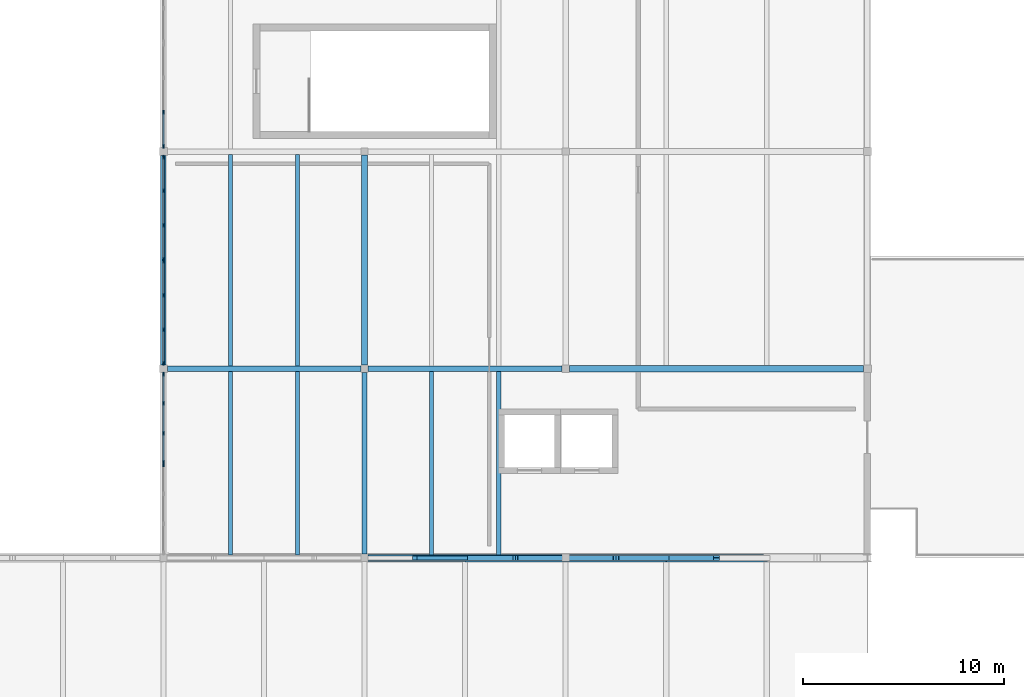
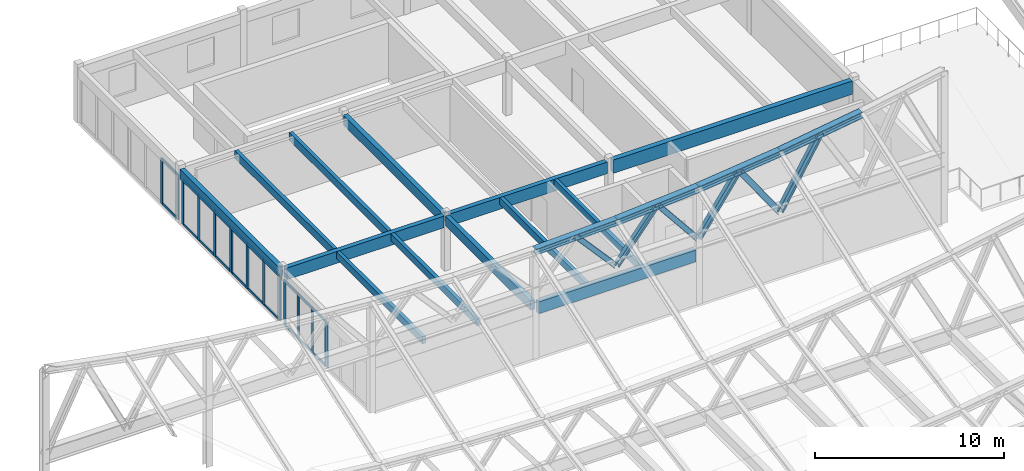
# One storey, part 14 of 40: 45 members, 13 beams, 6 elements without a shape of their own.
"""IFC4 building model written with IfcOpenShell, lengths in metres."""

from ifc_helpers import new_model, si_unit, direction, frame, origin, origin_2d, place, context, subcontext, project, spatial, rectangle, i_section, extrude, material, material_profile, profile_set, type_object, element, aggregate, save


model = new_model("IFC4")

# Units and contexts
model_context = context("Model", 3, precision=1e-05, world=origin(), true_north=direction((0.0, 1.0)))
body_context = subcontext(model_context, "Body", "Model", "MODEL_VIEW")
ifc_project = project(units=[si_unit("LENGTHUNIT", "METRE"), si_unit("AREAUNIT", "SQUARE_METRE"), si_unit("VOLUMEUNIT", "CUBIC_METRE"), si_unit("PLANEANGLEUNIT", "RADIAN"), si_unit("MASSUNIT", "GRAM", prefix="KILO")], contexts=[model_context])

# Site, building, storey
site_placement = place(None, origin())
site = spatial("IfcSite", under=ifc_project, at=site_placement, CompositionType="ELEMENT")
building_placement = place(site_placement, origin())
building = spatial("IfcBuilding", under=site, at=building_placement, Name="Veldera Park Congress Hotel", CompositionType="ELEMENT")
storey_placement = place(building_placement, frame((0.0, 0.0, 16.199951171875)))
storey = spatial("IfcBuildingStorey", under=building, at=storey_placement, Name="L03", CompositionType="ELEMENT", Elevation=16.199951171875)

# Beams
ifc_material_1 = material(Name="Glulam GL28h (NDS 24F-V4)", Category="wood")
ifc_material_profile_1 = material_profile(ifc_material_1, rectangle(XDim=0.264892578125, YDim=0.6201171875, at=origin_2d()), Name="GL28h 265x620")
ifc_profile_set_1 = profile_set([ifc_material_profile_1], Name="Glulam GL28h (NDS 24F-V4)")
beam_type_1 = type_object("IfcBeamType", Name="BM-GL620", PredefinedType="BEAM", material=ifc_profile_set_1)
beam_1_placement = place(storey_placement, frame((-37.39990234375, 27.179931640625, 3.25), z_axis=(0.0, 1.0, 0.0), x_axis=(-1.0, 0.0, 0.0)))
element("IfcBeam", 1, at=beam_1_placement, inside=storey, type_object=beam_type_1, Name="L03 Girder BM-GL620 1142", PredefinedType="BEAM", context=body_context, shape_type="SweptSolid", body=[
    extrude(rectangle(XDim=0.264892578125, YDim=0.6201171875, at=origin_2d()), origin(), (0.0, 0.0, 1.0), 9.0400390625),
])
ifc_material_profile_2 = material_profile(ifc_material_1, rectangle(XDim=0.280029296875, YDim=0.639892578125, at=origin_2d()), Name="GL28h 280x640")
ifc_profile_set_2 = profile_set([ifc_material_profile_2], Name="Glulam GL28h (NDS 24F-V4)")
beam_type_2 = type_object("IfcBeamType", Name="BM-GL640", PredefinedType="BEAM", material=ifc_profile_set_2)
beam_2_placement = place(storey_placement, frame((-47.39990234375, 36.594970703125, 3.239990234375), z_axis=(0.0, 1.0, 0.0), x_axis=(-1.0, 0.0, 0.0)))
element("IfcBeam", 2, at=beam_2_placement, inside=storey, type_object=beam_type_2, Name="L03 Girder BM-GL640 1140", PredefinedType="BEAM", context=body_context, shape_type="SweptSolid", body=[
    extrude(rectangle(XDim=0.280029296875, YDim=0.639892578125, at=origin_2d()), origin(), (0.0, 0.0, 1.0), 10.409912109375),
])
beam_3_placement = place(storey_placement, frame((-37.39990234375, 36.580078125, 3.239990234375), z_axis=(0.0, 1.0, 0.0), x_axis=(-1.0, 0.0, 0.0)))
element("IfcBeam", 3, at=beam_3_placement, inside=storey, type_object=beam_type_2, Name="L03 Girder BM-GL640 1143", PredefinedType="BEAM", context=body_context, shape_type="SweptSolid", body=[
    extrude(rectangle(XDim=0.280029296875, YDim=0.639892578125, at=origin_2d()), origin(), (0.0, 0.0, 1.0), 10.43994140625),
])
ifc_material_profile_3 = material_profile(ifc_material_1, rectangle(XDim=0.280029296875, YDim=0.760009765625, at=origin_2d()), Name="GL28h 280x760")
ifc_profile_set_3 = profile_set([ifc_material_profile_3], Name="Glulam GL28h (NDS 24F-V4)")
beam_type_3 = type_object("IfcBeamType", Name="BM-GL760", PredefinedType="BEAM", material=ifc_profile_set_3)
beam_4_placement = place(storey_placement, frame((-37.219970703125, 27.0, 3.179931640625), z_axis=(1.0, 0.0, 0.0), x_axis=(0.0, 1.0, 0.0)))
element("IfcBeam", 4, at=beam_4_placement, inside=storey, type_object=beam_type_3, Name="L03 Girder BM-GL760 1107", PredefinedType="BEAM", context=body_context, shape_type="SweptSolid", body=[
    extrude(rectangle(XDim=0.280029296875, YDim=0.760009765625, at=origin_2d()), origin(), (0.0, 0.0, 1.0), 9.639892578125),
])
beam_5_placement = place(storey_placement, frame((-47.205078125, 36.39990234375, 3.179931640625), z_axis=(1.0, 0.0, 0.0), x_axis=(0.0, 1.0, 0.0)))
element("IfcBeam", 5, at=beam_5_placement, inside=storey, type_object=beam_type_3, Name="L03 Girder BM-GL760 1114", PredefinedType="BEAM", context=body_context, shape_type="SweptSolid", body=[
    extrude(rectangle(XDim=0.280029296875, YDim=0.760009765625, at=origin_2d()), origin(), (0.0, 0.0, 1.0), 9.625),
])
beam_6_placement = place(storey_placement, frame((-37.219970703125, 36.39990234375, 3.179931640625), z_axis=(1.0, 0.0, 0.0), x_axis=(0.0, 1.0, 0.0)))
element("IfcBeam", 6, at=beam_6_placement, inside=storey, type_object=beam_type_3, Name="L03 Girder BM-GL760 1115", PredefinedType="BEAM", context=body_context, shape_type="SweptSolid", body=[
    extrude(rectangle(XDim=0.280029296875, YDim=0.760009765625, at=origin_2d()), origin(), (0.0, 0.0, 1.0), 9.639892578125),
])
ifc_material_profile_4 = material_profile(ifc_material_1, rectangle(XDim=0.31494140625, YDim=0.860107421875, at=origin_2d()), Name="GL28h 315x860")
ifc_profile_set_4 = profile_set([ifc_material_profile_4], Name="Glulam GL28h (NDS 24F-V4)")
beam_type_4 = type_object("IfcBeamType", Name="BM-GL860", PredefinedType="BEAM", material=ifc_profile_set_4)
beam_7_placement = place(storey_placement, frame((-27.219970703125, 36.39990234375, 3.130126953125), z_axis=(1.0, 0.0, 0.0), x_axis=(0.0, 1.0, 0.0)))
element("IfcBeam", 7, at=beam_7_placement, inside=storey, type_object=beam_type_4, Name="L03 Girder BM-GL860 1116", PredefinedType="BEAM", context=body_context, shape_type="SweptSolid", body=[
    extrude(rectangle(XDim=0.31494140625, YDim=0.860107421875, at=origin_2d()), origin(), (0.0, 0.0, 1.0), 14.625),
])

# Curtain wall, members
ifc_material_2 = material(Name="Low-E Triple Insulating Glass Unit (SHGC 0.22)", Category="glass")
curtain_wall_type = type_object("IfcCurtainWallType", Name="CW-CON", PredefinedType="NOTDEFINED", material=ifc_material_2)
curtain_wall_1_placement = place(storey_placement, origin())
curtain_wall_1 = element("IfcCurtainWall", 8, at=curtain_wall_1_placement, inside=storey, type_object=curtain_wall_type, Name="L03 Curtain Wall CW3-NWW-L03-080", PredefinedType="NOTDEFINED")
ifc_material_3 = material(Name="Anodised Aluminium Alloy 6063-T6", Category="aluminium")
ifc_material_profile_5 = material_profile(ifc_material_3, rectangle(XDim=0.074951171875, YDim=0.199951171875, at=origin_2d()), Name="ALU 75x200")
ifc_profile_set_5 = profile_set([ifc_material_profile_5], Name="Anodised Aluminium Alloy 6063-T6")
member_type_1 = type_object("IfcMemberType", Name="CWM-200", PredefinedType="MULLION", material=ifc_profile_set_5)
member_1_placement = place(storey_placement, frame((-47.39990234375, 49.151611328125, 0.0), z_axis=(0.0, 0.0, 1.0), x_axis=(1.0, 0.0, 0.0)))
member_1 = element("IfcMember", 9, at=member_1_placement, type_object=member_type_1, Name="CW-CON mullion 3", PredefinedType="MULLION", context=body_context, shape_type="SweptSolid", body=[
    extrude(rectangle(XDim=0.074951171875, YDim=0.199951171875, at=origin_2d()), origin(), (0.0, 0.0, 1.0), 2.9150390625),
])
member_2_placement = place(storey_placement, frame((-47.39990234375, 47.472412109375, 0.0), z_axis=(0.0, 0.0, 1.0), x_axis=(1.0, 0.0, 0.0)))
member_2 = element("IfcMember", 10, at=member_2_placement, type_object=member_type_1, Name="CW-CON mullion 4", PredefinedType="MULLION", context=body_context, shape_type="SweptSolid", body=[
    extrude(rectangle(XDim=0.074951171875, YDim=0.199951171875, at=origin_2d()), origin(), (0.0, 0.0, 1.0), 2.9150390625),
])

curtain_wall_2_placement = place(storey_placement, origin())
curtain_wall_2 = element("IfcCurtainWall", 11, at=curtain_wall_2_placement, inside=storey, type_object=curtain_wall_type, Name="L03 Curtain Wall CW3-NWW-L03-081", PredefinedType="NOTDEFINED")
member_3_placement = place(storey_placement, frame((-47.39990234375, 46.927490234375, 0.0), z_axis=(0.0, 0.0, 1.0), x_axis=(1.0, 0.0, 0.0)))
member_3 = element("IfcMember", 12, at=member_3_placement, type_object=member_type_1, Name="CW-CON mullion 1", PredefinedType="MULLION", context=body_context, shape_type="SweptSolid", body=[
    extrude(rectangle(XDim=0.074951171875, YDim=0.199951171875, at=origin_2d()), origin(), (0.0, 0.0, 1.0), 2.9150390625),
])
member_4_placement = place(storey_placement, frame((-47.39990234375, 45.248291015625, 0.0), z_axis=(0.0, 0.0, 1.0), x_axis=(1.0, 0.0, 0.0)))
member_4 = element("IfcMember", 13, at=member_4_placement, type_object=member_type_1, Name="CW-CON mullion 2", PredefinedType="MULLION", context=body_context, shape_type="SweptSolid", body=[
    extrude(rectangle(XDim=0.074951171875, YDim=0.199951171875, at=origin_2d()), origin(), (0.0, 0.0, 1.0), 2.9150390625),
])
member_5_placement = place(storey_placement, frame((-47.39990234375, 43.53173828125, 0.0), z_axis=(0.0, 0.0, 1.0), x_axis=(1.0, 0.0, 0.0)))
member_5 = element("IfcMember", 14, at=member_5_placement, type_object=member_type_1, Name="CW-CON mullion 3", PredefinedType="MULLION", context=body_context, shape_type="SweptSolid", body=[
    extrude(rectangle(XDim=0.074951171875, YDim=0.199951171875, at=origin_2d()), origin(), (0.0, 0.0, 1.0), 2.9150390625),
])
member_6_placement = place(storey_placement, frame((-47.39990234375, 41.8525390625, 0.0), z_axis=(0.0, 0.0, 1.0), x_axis=(1.0, 0.0, 0.0)))
member_6 = element("IfcMember", 15, at=member_6_placement, type_object=member_type_1, Name="CW-CON mullion 4", PredefinedType="MULLION", context=body_context, shape_type="SweptSolid", body=[
    extrude(rectangle(XDim=0.074951171875, YDim=0.199951171875, at=origin_2d()), origin(), (0.0, 0.0, 1.0), 2.9150390625),
])

curtain_wall_3_placement = place(storey_placement, origin())
curtain_wall_3 = element("IfcCurtainWall", 16, at=curtain_wall_3_placement, inside=storey, type_object=curtain_wall_type, Name="L03 Curtain Wall CW3-NWW-L03-082", PredefinedType="NOTDEFINED")
member_7_placement = place(storey_placement, frame((-47.39990234375, 41.74755859375, 0.0), z_axis=(0.0, 0.0, 1.0), x_axis=(1.0, 0.0, 0.0)))
member_7 = element("IfcMember", 17, at=member_7_placement, type_object=member_type_1, Name="CW-CON mullion 1", PredefinedType="MULLION", context=body_context, shape_type="SweptSolid", body=[
    extrude(rectangle(XDim=0.074951171875, YDim=0.199951171875, at=origin_2d()), origin(), (0.0, 0.0, 1.0), 2.9150390625),
])
member_8_placement = place(storey_placement, frame((-47.39990234375, 40.068359375, 0.0), z_axis=(0.0, 0.0, 1.0), x_axis=(1.0, 0.0, 0.0)))
member_8 = element("IfcMember", 18, at=member_8_placement, type_object=member_type_1, Name="CW-CON mullion 2", PredefinedType="MULLION", context=body_context, shape_type="SweptSolid", body=[
    extrude(rectangle(XDim=0.074951171875, YDim=0.199951171875, at=origin_2d()), origin(), (0.0, 0.0, 1.0), 2.9150390625),
])
member_9_placement = place(storey_placement, frame((-47.39990234375, 38.3515625, 0.0), z_axis=(0.0, 0.0, 1.0), x_axis=(1.0, 0.0, 0.0)))
member_9 = element("IfcMember", 19, at=member_9_placement, type_object=member_type_1, Name="CW-CON mullion 3", PredefinedType="MULLION", context=body_context, shape_type="SweptSolid", body=[
    extrude(rectangle(XDim=0.074951171875, YDim=0.199951171875, at=origin_2d()), origin(), (0.0, 0.0, 1.0), 2.9150390625),
])
member_10_placement = place(storey_placement, frame((-47.39990234375, 36.672607421875, 0.0), z_axis=(0.0, 0.0, 1.0), x_axis=(1.0, 0.0, 0.0)))
member_10 = element("IfcMember", 20, at=member_10_placement, type_object=member_type_1, Name="CW-CON mullion 4", PredefinedType="MULLION", context=body_context, shape_type="SweptSolid", body=[
    extrude(rectangle(XDim=0.074951171875, YDim=0.199951171875, at=origin_2d()), origin(), (0.0, 0.0, 1.0), 2.9150390625),
])

curtain_wall_4_placement = place(storey_placement, origin())
curtain_wall_4 = element("IfcCurtainWall", 21, at=curtain_wall_4_placement, inside=storey, type_object=curtain_wall_type, Name="L03 Curtain Wall CW3-NWW-L03-083", PredefinedType="NOTDEFINED")
member_11_placement = place(storey_placement, frame((-47.39990234375, 36.12744140625, 0.0), z_axis=(0.0, 0.0, 1.0), x_axis=(1.0, 0.0, 0.0)))
member_11 = element("IfcMember", 22, at=member_11_placement, type_object=member_type_1, Name="CW-CON mullion 1", PredefinedType="MULLION", context=body_context, shape_type="SweptSolid", body=[
    extrude(rectangle(XDim=0.074951171875, YDim=0.199951171875, at=origin_2d()), origin(), (0.0, 0.0, 1.0), 2.93505859375),
])
member_12_placement = place(storey_placement, frame((-47.39990234375, 34.67919921875, 0.0), z_axis=(0.0, 0.0, 1.0), x_axis=(1.0, 0.0, 0.0)))
member_12 = element("IfcMember", 23, at=member_12_placement, type_object=member_type_1, Name="CW-CON mullion 2", PredefinedType="MULLION", context=body_context, shape_type="SweptSolid", body=[
    extrude(rectangle(XDim=0.074951171875, YDim=0.199951171875, at=origin_2d()), origin(), (0.0, 0.0, 1.0), 2.93505859375),
])
member_13_placement = place(storey_placement, frame((-47.39990234375, 33.193359375, 0.0), z_axis=(0.0, 0.0, 1.0), x_axis=(1.0, 0.0, 0.0)))
member_13 = element("IfcMember", 24, at=member_13_placement, type_object=member_type_1, Name="CW-CON mullion 3", PredefinedType="MULLION", context=body_context, shape_type="SweptSolid", body=[
    extrude(rectangle(XDim=0.074951171875, YDim=0.199951171875, at=origin_2d()), origin(), (0.0, 0.0, 1.0), 2.93505859375),
])
member_14_placement = place(storey_placement, frame((-47.39990234375, 31.7451171875, 0.0), z_axis=(0.0, 0.0, 1.0), x_axis=(1.0, 0.0, 0.0)))
member_14 = element("IfcMember", 25, at=member_14_placement, type_object=member_type_1, Name="CW-CON mullion 4", PredefinedType="MULLION", context=body_context, shape_type="SweptSolid", body=[
    extrude(rectangle(XDim=0.074951171875, YDim=0.199951171875, at=origin_2d()), origin(), (0.0, 0.0, 1.0), 2.93505859375),
])

# Curtain wall, member
curtain_wall_5_placement = place(storey_placement, origin())
curtain_wall_5 = element("IfcCurtainWall", 26, at=curtain_wall_5_placement, inside=storey, type_object=curtain_wall_type, Name="L03 Curtain Wall CW3-NWW-L03-084", PredefinedType="NOTDEFINED")
member_15_placement = place(storey_placement, frame((-47.39990234375, 31.639892578125, 0.0), z_axis=(0.0, 0.0, 1.0), x_axis=(1.0, 0.0, 0.0)))
member_15 = element("IfcMember", 27, at=member_15_placement, type_object=member_type_1, Name="CW-CON mullion 1", PredefinedType="MULLION", context=body_context, shape_type="SweptSolid", body=[
    extrude(rectangle(XDim=0.074951171875, YDim=0.199951171875, at=origin_2d()), origin(), (0.0, 0.0, 1.0), 2.93505859375),
])
aggregate(curtain_wall_5, [member_15])

# Member
ifc_material_profile_6 = material_profile(ifc_material_3, rectangle(XDim=0.074951171875, YDim=0.14990234375, at=origin_2d()), Name="ALU 75x150")
ifc_profile_set_6 = profile_set([ifc_material_profile_6], Name="Anodised Aluminium Alloy 6063-T6")
member_type_2 = type_object("IfcMemberType", Name="CWT-150", PredefinedType="USERDEFINED", material=ifc_profile_set_6)
member_16_placement = place(storey_placement, frame((-47.39990234375, 49.1142578125, 0.03759765625), z_axis=(0.0, -1.0, 0.0), x_axis=(1.0, 0.0, 0.0)))
member_16 = element("IfcMember", 28, at=member_16_placement, type_object=member_type_2, Name="CW-CON transom 3.1", ObjectType="TRANSOM", PredefinedType="USERDEFINED", context=body_context, shape_type="SweptSolid", body=[
    extrude(rectangle(XDim=0.074951171875, YDim=0.14990234375, at=origin_2d()), origin(), (0.0, 0.0, 1.0), 1.604248046875),
])

member_17_placement = place(storey_placement, frame((-47.39990234375, 49.1142578125, 2.87744140625), z_axis=(0.0, -1.0, 0.0), x_axis=(1.0, 0.0, 0.0)))
member_17 = element("IfcMember", 29, at=member_17_placement, type_object=member_type_2, Name="CW-CON transom 3.2", ObjectType="TRANSOM", PredefinedType="USERDEFINED", context=body_context, shape_type="SweptSolid", body=[
    extrude(rectangle(XDim=0.074951171875, YDim=0.14990234375, at=origin_2d()), origin(), (0.0, 0.0, 1.0), 1.604248046875),
])

aggregate(curtain_wall_1, [member_1, member_2, member_16, member_17])

member_18_placement = place(storey_placement, frame((-47.39990234375, 46.889892578125, 0.03759765625), z_axis=(0.0, -1.0, 0.0), x_axis=(1.0, 0.0, 0.0)))
member_18 = element("IfcMember", 30, at=member_18_placement, type_object=member_type_2, Name="CW-CON transom 1.1", ObjectType="TRANSOM", PredefinedType="USERDEFINED", context=body_context, shape_type="SweptSolid", body=[
    extrude(rectangle(XDim=0.074951171875, YDim=0.14990234375, at=origin_2d()), origin(), (0.0, 0.0, 1.0), 1.60400390625),
])

member_19_placement = place(storey_placement, frame((-47.39990234375, 46.889892578125, 2.87744140625), z_axis=(0.0, -1.0, 0.0), x_axis=(1.0, 0.0, 0.0)))
member_19 = element("IfcMember", 31, at=member_19_placement, type_object=member_type_2, Name="CW-CON transom 1.2", ObjectType="TRANSOM", PredefinedType="USERDEFINED", context=body_context, shape_type="SweptSolid", body=[
    extrude(rectangle(XDim=0.074951171875, YDim=0.14990234375, at=origin_2d()), origin(), (0.0, 0.0, 1.0), 1.60400390625),
])

member_20_placement = place(storey_placement, frame((-47.39990234375, 45.2109375, 0.03759765625), z_axis=(0.0, -1.0, 0.0), x_axis=(1.0, 0.0, 0.0)))
member_20 = element("IfcMember", 32, at=member_20_placement, type_object=member_type_2, Name="CW-CON transom 2.1", ObjectType="TRANSOM", PredefinedType="USERDEFINED", context=body_context, shape_type="SweptSolid", body=[
    extrude(rectangle(XDim=0.074951171875, YDim=0.14990234375, at=origin_2d()), origin(), (0.0, 0.0, 1.0), 1.641845703125),
])

member_21_placement = place(storey_placement, frame((-47.39990234375, 45.2109375, 2.87744140625), z_axis=(0.0, -1.0, 0.0), x_axis=(1.0, 0.0, 0.0)))
member_21 = element("IfcMember", 33, at=member_21_placement, type_object=member_type_2, Name="CW-CON transom 2.2", ObjectType="TRANSOM", PredefinedType="USERDEFINED", context=body_context, shape_type="SweptSolid", body=[
    extrude(rectangle(XDim=0.074951171875, YDim=0.14990234375, at=origin_2d()), origin(), (0.0, 0.0, 1.0), 1.641845703125),
])

member_22_placement = place(storey_placement, frame((-47.39990234375, 43.494140625, 0.03759765625), z_axis=(0.0, -1.0, 0.0), x_axis=(1.0, 0.0, 0.0)))
member_22 = element("IfcMember", 34, at=member_22_placement, type_object=member_type_2, Name="CW-CON transom 3.1", ObjectType="TRANSOM", PredefinedType="USERDEFINED", context=body_context, shape_type="SweptSolid", body=[
    extrude(rectangle(XDim=0.074951171875, YDim=0.14990234375, at=origin_2d()), origin(), (0.0, 0.0, 1.0), 1.604248046875),
])

member_23_placement = place(storey_placement, frame((-47.39990234375, 43.494140625, 2.87744140625), z_axis=(0.0, -1.0, 0.0), x_axis=(1.0, 0.0, 0.0)))
member_23 = element("IfcMember", 35, at=member_23_placement, type_object=member_type_2, Name="CW-CON transom 3.2", ObjectType="TRANSOM", PredefinedType="USERDEFINED", context=body_context, shape_type="SweptSolid", body=[
    extrude(rectangle(XDim=0.074951171875, YDim=0.14990234375, at=origin_2d()), origin(), (0.0, 0.0, 1.0), 1.604248046875),
])

aggregate(curtain_wall_2, [member_3, member_4, member_5, member_6, member_18, member_19, member_20, member_21, member_22, member_23])

member_24_placement = place(storey_placement, frame((-47.39990234375, 41.7099609375, 0.03759765625), z_axis=(0.0, -1.0, 0.0), x_axis=(1.0, 0.0, 0.0)))
member_24 = element("IfcMember", 36, at=member_24_placement, type_object=member_type_2, Name="CW-CON transom 1.1", ObjectType="TRANSOM", PredefinedType="USERDEFINED", context=body_context, shape_type="SweptSolid", body=[
    extrude(rectangle(XDim=0.074951171875, YDim=0.14990234375, at=origin_2d()), origin(), (0.0, 0.0, 1.0), 1.604248046875),
])

member_25_placement = place(storey_placement, frame((-47.39990234375, 41.7099609375, 2.87744140625), z_axis=(0.0, -1.0, 0.0), x_axis=(1.0, 0.0, 0.0)))
member_25 = element("IfcMember", 37, at=member_25_placement, type_object=member_type_2, Name="CW-CON transom 1.2", ObjectType="TRANSOM", PredefinedType="USERDEFINED", context=body_context, shape_type="SweptSolid", body=[
    extrude(rectangle(XDim=0.074951171875, YDim=0.14990234375, at=origin_2d()), origin(), (0.0, 0.0, 1.0), 1.604248046875),
])

member_26_placement = place(storey_placement, frame((-47.39990234375, 40.03076171875, 0.03759765625), z_axis=(0.0, -1.0, 0.0), x_axis=(1.0, 0.0, 0.0)))
member_26 = element("IfcMember", 38, at=member_26_placement, type_object=member_type_2, Name="CW-CON transom 2.1", ObjectType="TRANSOM", PredefinedType="USERDEFINED", context=body_context, shape_type="SweptSolid", body=[
    extrude(rectangle(XDim=0.074951171875, YDim=0.14990234375, at=origin_2d()), origin(), (0.0, 0.0, 1.0), 1.6416015625),
])

member_27_placement = place(storey_placement, frame((-47.39990234375, 40.03076171875, 2.87744140625), z_axis=(0.0, -1.0, 0.0), x_axis=(1.0, 0.0, 0.0)))
member_27 = element("IfcMember", 39, at=member_27_placement, type_object=member_type_2, Name="CW-CON transom 2.2", ObjectType="TRANSOM", PredefinedType="USERDEFINED", context=body_context, shape_type="SweptSolid", body=[
    extrude(rectangle(XDim=0.074951171875, YDim=0.14990234375, at=origin_2d()), origin(), (0.0, 0.0, 1.0), 1.6416015625),
])

member_28_placement = place(storey_placement, frame((-47.39990234375, 38.314208984375, 0.03759765625), z_axis=(0.0, -1.0, 0.0), x_axis=(1.0, 0.0, 0.0)))
member_28 = element("IfcMember", 40, at=member_28_placement, type_object=member_type_2, Name="CW-CON transom 3.1", ObjectType="TRANSOM", PredefinedType="USERDEFINED", context=body_context, shape_type="SweptSolid", body=[
    extrude(rectangle(XDim=0.074951171875, YDim=0.14990234375, at=origin_2d()), origin(), (0.0, 0.0, 1.0), 1.604248046875),
])

member_29_placement = place(storey_placement, frame((-47.39990234375, 38.314208984375, 2.87744140625), z_axis=(0.0, -1.0, 0.0), x_axis=(1.0, 0.0, 0.0)))
member_29 = element("IfcMember", 41, at=member_29_placement, type_object=member_type_2, Name="CW-CON transom 3.2", ObjectType="TRANSOM", PredefinedType="USERDEFINED", context=body_context, shape_type="SweptSolid", body=[
    extrude(rectangle(XDim=0.074951171875, YDim=0.14990234375, at=origin_2d()), origin(), (0.0, 0.0, 1.0), 1.604248046875),
])

aggregate(curtain_wall_3, [member_7, member_8, member_9, member_10, member_24, member_25, member_26, member_27, member_28, member_29])

member_30_placement = place(storey_placement, frame((-47.39990234375, 36.090087890625, 0.03759765625), z_axis=(0.0, -1.0, 0.0), x_axis=(1.0, 0.0, 0.0)))
member_30 = element("IfcMember", 42, at=member_30_placement, type_object=member_type_2, Name="CW-CON transom 1.1", ObjectType="TRANSOM", PredefinedType="USERDEFINED", context=body_context, shape_type="SweptSolid", body=[
    extrude(rectangle(XDim=0.074951171875, YDim=0.14990234375, at=origin_2d()), origin(), (0.0, 0.0, 1.0), 1.37353515625),
])

member_31_placement = place(storey_placement, frame((-47.39990234375, 36.090087890625, 2.8974609375), z_axis=(0.0, -1.0, 0.0), x_axis=(1.0, 0.0, 0.0)))
member_31 = element("IfcMember", 43, at=member_31_placement, type_object=member_type_2, Name="CW-CON transom 1.2", ObjectType="TRANSOM", PredefinedType="USERDEFINED", context=body_context, shape_type="SweptSolid", body=[
    extrude(rectangle(XDim=0.074951171875, YDim=0.14990234375, at=origin_2d()), origin(), (0.0, 0.0, 1.0), 1.37353515625),
])

member_32_placement = place(storey_placement, frame((-47.39990234375, 34.6416015625, 0.03759765625), z_axis=(0.0, -1.0, 0.0), x_axis=(1.0, 0.0, 0.0)))
member_32 = element("IfcMember", 44, at=member_32_placement, type_object=member_type_2, Name="CW-CON transom 2.1", ObjectType="TRANSOM", PredefinedType="USERDEFINED", context=body_context, shape_type="SweptSolid", body=[
    extrude(rectangle(XDim=0.074951171875, YDim=0.14990234375, at=origin_2d()), origin(), (0.0, 0.0, 1.0), 1.410888671875),
])

member_33_placement = place(storey_placement, frame((-47.39990234375, 34.6416015625, 2.8974609375), z_axis=(0.0, -1.0, 0.0), x_axis=(1.0, 0.0, 0.0)))
member_33 = element("IfcMember", 45, at=member_33_placement, type_object=member_type_2, Name="CW-CON transom 2.2", ObjectType="TRANSOM", PredefinedType="USERDEFINED", context=body_context, shape_type="SweptSolid", body=[
    extrude(rectangle(XDim=0.074951171875, YDim=0.14990234375, at=origin_2d()), origin(), (0.0, 0.0, 1.0), 1.410888671875),
])

member_34_placement = place(storey_placement, frame((-47.39990234375, 33.15576171875, 0.03759765625), z_axis=(0.0, -1.0, 0.0), x_axis=(1.0, 0.0, 0.0)))
member_34 = element("IfcMember", 46, at=member_34_placement, type_object=member_type_2, Name="CW-CON transom 3.1", ObjectType="TRANSOM", PredefinedType="USERDEFINED", context=body_context, shape_type="SweptSolid", body=[
    extrude(rectangle(XDim=0.074951171875, YDim=0.14990234375, at=origin_2d()), origin(), (0.0, 0.0, 1.0), 1.373291015625),
])

member_35_placement = place(storey_placement, frame((-47.39990234375, 33.15576171875, 2.8974609375), z_axis=(0.0, -1.0, 0.0), x_axis=(1.0, 0.0, 0.0)))
member_35 = element("IfcMember", 47, at=member_35_placement, type_object=member_type_2, Name="CW-CON transom 3.2", ObjectType="TRANSOM", PredefinedType="USERDEFINED", context=body_context, shape_type="SweptSolid", body=[
    extrude(rectangle(XDim=0.074951171875, YDim=0.14990234375, at=origin_2d()), origin(), (0.0, 0.0, 1.0), 1.373291015625),
])

aggregate(curtain_wall_4, [member_11, member_12, member_13, member_14, member_30, member_31, member_32, member_33, member_34, member_35])

# Beams
ifc_material_profile_7 = material_profile(ifc_material_1, rectangle(XDim=0.215087890625, YDim=0.449951171875, at=origin_2d()), Name="GL28h 215x450")
ifc_profile_set_7 = profile_set([ifc_material_profile_7], Name="Glulam GL28h (NDS 24F-V4)")
beam_type_5 = type_object("IfcBeamType", Name="JST-GL450", PredefinedType="JOIST", material=ifc_profile_set_7)
for number, where, z_axis, x_axis, name in (
    (48, (-44.066650390625, 27.139892578125, 3.3349609375), (0.0, 1.0, 0.0), (-1.0, 0.0, 0.0), "L03 Floor Joist JST-GL450 1224"),
    (49, (-40.7333984375, 27.139892578125, 3.3349609375), (0.0, 1.0, 0.0), (-1.0, 0.0, 0.0), "L03 Floor Joist JST-GL450 1225"),
    (50, (-34.066650390625, 27.139892578125, 3.3349609375), (0.0, 1.0, 0.0), (-1.0, 0.0, 0.0), "L03 Floor Joist JST-GL450 1226"),
    (51, (-30.7333984375, 27.139892578125, 3.3349609375), (0.0, 1.0, 0.0), (-1.0, 0.0, 0.0), "L03 Floor Joist JST-GL450 1227"),
):
    element("IfcBeam", number, at=place(storey_placement, frame(where, z_axis=z_axis, x_axis=x_axis)), inside=storey, type_object=beam_type_5, Name=name, PredefinedType="JOIST", context=body_context, shape_type="SweptSolid", body=[
        extrude(rectangle(XDim=0.215087890625, YDim=0.449951171875, at=origin_2d()), origin(), (0.0, 0.0, 1.0), 9.1201171875),
    ])
ifc_material_profile_8 = material_profile(ifc_material_1, rectangle(XDim=0.215087890625, YDim=0.4951171875, at=origin_2d()), Name="GL28h 215x495")
ifc_profile_set_8 = profile_set([ifc_material_profile_8], Name="Glulam GL28h (NDS 24F-V4)")
beam_type_6 = type_object("IfcBeamType", Name="JST-GL495", PredefinedType="JOIST", material=ifc_profile_set_8)
for number, where, z_axis, x_axis, name in (
    (52, (-44.066650390625, 36.5400390625, 3.3125), (0.0, 1.0, 0.0), (-1.0, 0.0, 0.0), "L03 Floor Joist JST-GL495 1235"),
    (53, (-40.7333984375, 36.5400390625, 3.3125), (0.0, 1.0, 0.0), (-1.0, 0.0, 0.0), "L03 Floor Joist JST-GL495 1236"),
):
    element("IfcBeam", number, at=place(storey_placement, frame(where, z_axis=z_axis, x_axis=x_axis)), inside=storey, type_object=beam_type_6, Name=name, PredefinedType="JOIST", context=body_context, shape_type="SweptSolid", body=[
        extrude(rectangle(XDim=0.215087890625, YDim=0.4951171875, at=origin_2d()), origin(), (0.0, 0.0, 1.0), 10.52001953125),
    ])

# Roof, members
ifc_material_4 = material(Name="Cross-laminated timber CLT V2M1.1", Category="wood")
roof_type = type_object("IfcRoofType", Name="ROOF-PAV", PredefinedType="PAVILION_ROOF", material=ifc_material_4)
roof_placement = place(storey_placement, origin())
roof = element("IfcRoof", 54, at=roof_placement, inside=storey, type_object=roof_type, Name="Plenary Congress Pavilion Sweeping Space Frame Roof", PredefinedType="PAVILION_ROOF")
ifc_material_5 = material(Name="Steel ASTM A992 Gr.50", Category="steel")
ifc_material_profile_9 = material_profile(ifc_material_5, i_section(OverallWidth=0.3740234375, OverallDepth=0.3720703125, WebThickness=0.016357421875, FlangeThickness=0.026123046875, at=origin_2d()), Name="W14X132")
ifc_profile_set_9 = profile_set([ifc_material_profile_9], Name="Steel ASTM A992 Gr.50")
member_type_3 = type_object("IfcMemberType", Name="TR-CHD132", PredefinedType="CHORD", material=ifc_profile_set_9)
member_36_placement = place(storey_placement, frame((-37.39990234375, 27.0, 6.867431640625), z_axis=(0.999258722193, 0.0, 0.038496832608), x_axis=(0.0, 1.0, 0.0)))
member_36 = element("IfcMember", 55, at=member_36_placement, type_object=member_type_3, Name="Plenary Roof Space Frame Top Chord 62", PredefinedType="CHORD", context=body_context, shape_type="SweptSolid", body=[
    extrude(i_section(OverallWidth=0.3740234375, OverallDepth=0.3720703125, WebThickness=0.016357421875, FlangeThickness=0.026123046875, at=origin_2d()), origin(), (0.0, 0.0, 1.0), 5.003662109375),
])
ifc_material_profile_10 = material_profile(ifc_material_5, i_section(OverallWidth=0.39599609375, OverallDepth=0.381103515625, WebThickness=0.018798828125, FlangeThickness=0.0302734375, at=origin_2d()), Name="W14X159")
ifc_profile_set_10 = profile_set([ifc_material_profile_10], Name="Steel ASTM A992 Gr.50")
member_type_4 = type_object("IfcMemberType", Name="TR-CHD159", PredefinedType="CHORD", material=ifc_profile_set_10)
member_37_placement = place(storey_placement, frame((-32.39990234375, 27.0, 7.06005859375), z_axis=(0.99710410734, 0.0, 0.076048662874), x_axis=(0.0, 1.0, 0.0)))
member_37 = element("IfcMember", 56, at=member_37_placement, type_object=member_type_4, Name="Plenary Roof Space Frame Top Chord 63", PredefinedType="CHORD", context=body_context, shape_type="SweptSolid", body=[
    extrude(i_section(OverallWidth=0.39599609375, OverallDepth=0.381103515625, WebThickness=0.018798828125, FlangeThickness=0.0302734375, at=origin_2d()), origin(), (0.0, 0.0, 1.0), 5.014404296875),
])
ifc_material_profile_11 = material_profile(ifc_material_5, i_section(OverallWidth=0.39697265625, OverallDepth=0.386962890625, WebThickness=0.02099609375, FlangeThickness=0.033203125, at=origin_2d()), Name="W14X176")
ifc_profile_set_11 = profile_set([ifc_material_profile_11], Name="Steel ASTM A992 Gr.50")
member_type_5 = type_object("IfcMemberType", Name="TR-CHD176", PredefinedType="CHORD", material=ifc_profile_set_11)
member_38_placement = place(storey_placement, frame((-27.39990234375, 27.0, 7.44140625), z_axis=(0.993568588139, 0.0, 0.113231888902), x_axis=(0.0, 1.0, 0.0)))
member_38 = element("IfcMember", 57, at=member_38_placement, type_object=member_type_5, Name="Plenary Roof Space Frame Top Chord 64", PredefinedType="CHORD", context=body_context, shape_type="SweptSolid", body=[
    extrude(i_section(OverallWidth=0.39697265625, OverallDepth=0.386962890625, WebThickness=0.02099609375, FlangeThickness=0.033203125, at=origin_2d()), origin(), (0.0, 0.0, 1.0), 5.032470703125),
])
ifc_material_profile_12 = material_profile(ifc_material_5, i_section(OverallWidth=0.40087890625, OverallDepth=0.39892578125, WebThickness=0.02490234375, FlangeThickness=0.03955078125, at=origin_2d()), Name="W14X211")
ifc_profile_set_12 = profile_set([ifc_material_profile_12], Name="Steel ASTM A992 Gr.50")
member_type_6 = type_object("IfcMemberType", Name="TR-CHD211", PredefinedType="CHORD", material=ifc_profile_set_12)
member_39_placement = place(storey_placement, frame((-22.39990234375, 27.0, 8.01123046875), z_axis=(0.988679941563, 0.0, 0.150039905194), x_axis=(0.0, 1.0, 0.0)))
member_39 = element("IfcMember", 58, at=member_39_placement, type_object=member_type_6, Name="Plenary Roof Space Frame Top Chord 65", PredefinedType="CHORD", context=body_context, shape_type="SweptSolid", body=[
    extrude(i_section(OverallWidth=0.40087890625, OverallDepth=0.39892578125, WebThickness=0.02490234375, FlangeThickness=0.03955078125, at=origin_2d()), origin(), (0.0, 0.0, 1.0), 5.05712890625),
])
ifc_material_profile_13 = material_profile(ifc_material_5, i_section(OverallWidth=0.205078125, OverallDepth=0.31005859375, WebThickness=0.009521484375, FlangeThickness=0.016357421875, at=origin_2d()), Name="W12X50")
ifc_profile_set_13 = profile_set([ifc_material_profile_13], Name="Steel ASTM A992 Gr.50")
member_type_7 = type_object("IfcMemberType", Name="TR-WEB50", PredefinedType="MEMBER", material=ifc_profile_set_13)
member_40_placement = place(storey_placement, frame((-32.39990234375, 27.0, 4.150146484375), z_axis=(-0.664202782863, 0.0, 0.747552448486), x_axis=(0.0, -1.0, 0.0)))
member_40 = element("IfcMember", 59, at=member_40_placement, type_object=member_type_7, Name="Plenary Roof Space Frame Web B 62", PredefinedType="MEMBER", context=body_context, shape_type="SweptSolid", body=[
    extrude(i_section(OverallWidth=0.205078125, OverallDepth=0.31005859375, WebThickness=0.009521484375, FlangeThickness=0.016357421875, at=origin_2d()), origin(), (0.0, 0.0, 1.0), 3.763916015625),
])
ifc_material_profile_14 = material_profile(ifc_material_5, i_section(OverallWidth=0.25390625, OverallDepth=0.31005859375, WebThickness=0.009033203125, FlangeThickness=0.016357421875, at=origin_2d()), Name="W12X58")
ifc_profile_set_14 = profile_set([ifc_material_profile_14], Name="Steel ASTM A992 Gr.50")
member_type_8 = type_object("IfcMemberType", Name="TR-WEB58", PredefinedType="MEMBER", material=ifc_profile_set_14)
member_41_placement = place(storey_placement, frame((-32.39990234375, 27.0, 4.150146484375), z_axis=(0.627680561823, 0.0, 0.778471009293), x_axis=(0.0, 1.0, 0.0)))
member_41 = element("IfcMember", 60, at=member_41_placement, type_object=member_type_8, Name="Plenary Roof Space Frame Web A 63", PredefinedType="MEMBER", context=body_context, shape_type="SweptSolid", body=[
    extrude(i_section(OverallWidth=0.25390625, OverallDepth=0.31005859375, WebThickness=0.009033203125, FlangeThickness=0.016357421875, at=origin_2d()), origin(), (0.0, 0.0, 1.0), 3.98291015625),
])
member_42_placement = place(storey_placement, frame((-27.39990234375, 27.0, 4.150146484375), z_axis=(-0.627680561823, 0.0, 0.778471009293), x_axis=(0.0, -1.0, 0.0)))
member_42 = element("IfcMember", 61, at=member_42_placement, type_object=member_type_8, Name="Plenary Roof Space Frame Web B 63", PredefinedType="MEMBER", context=body_context, shape_type="SweptSolid", body=[
    extrude(i_section(OverallWidth=0.25390625, OverallDepth=0.31005859375, WebThickness=0.009033203125, FlangeThickness=0.016357421875, at=origin_2d()), origin(), (0.0, 0.0, 1.0), 3.98291015625),
])
ifc_material_profile_15 = material_profile(ifc_material_5, i_section(OverallWidth=0.25390625, OverallDepth=0.35595703125, WebThickness=0.010498046875, FlangeThickness=0.018310546875, at=origin_2d()), Name="W14X68")
ifc_profile_set_15 = profile_set([ifc_material_profile_15], Name="Steel ASTM A992 Gr.50")
member_type_9 = type_object("IfcMemberType", Name="TR-WEB68", PredefinedType="MEMBER", material=ifc_profile_set_15)
member_43_placement = place(storey_placement, frame((-27.39990234375, 27.0, 4.150146484375), z_axis=(0.572951527398, 0.0, 0.819589255208), x_axis=(0.0, 1.0, 0.0)))
member_43 = element("IfcMember", 62, at=member_43_placement, type_object=member_type_9, Name="Plenary Roof Space Frame Web A 64", PredefinedType="MEMBER", context=body_context, shape_type="SweptSolid", body=[
    extrude(i_section(OverallWidth=0.25390625, OverallDepth=0.35595703125, WebThickness=0.010498046875, FlangeThickness=0.018310546875, at=origin_2d()), origin(), (0.0, 0.0, 1.0), 4.36328125),
])
member_44_placement = place(storey_placement, frame((-22.39990234375, 27.0, 4.150146484375), z_axis=(-0.572951527398, 0.0, 0.819589255208), x_axis=(0.0, -1.0, 0.0)))
member_44 = element("IfcMember", 63, at=member_44_placement, type_object=member_type_9, Name="Plenary Roof Space Frame Web B 64", PredefinedType="MEMBER", context=body_context, shape_type="SweptSolid", body=[
    extrude(i_section(OverallWidth=0.25390625, OverallDepth=0.35595703125, WebThickness=0.010498046875, FlangeThickness=0.018310546875, at=origin_2d()), origin(), (0.0, 0.0, 1.0), 4.36328125),
])
ifc_material_profile_16 = material_profile(ifc_material_5, i_section(OverallWidth=0.257080078125, OverallDepth=0.363037109375, WebThickness=0.012939453125, FlangeThickness=0.021728515625, at=origin_2d()), Name="W14X82")
ifc_profile_set_16 = profile_set([ifc_material_profile_16], Name="Steel ASTM A992 Gr.50")
member_type_10 = type_object("IfcMemberType", Name="TR-WEB82", PredefinedType="MEMBER", material=ifc_profile_set_16)
member_45_placement = place(storey_placement, frame((-22.39990234375, 27.0, 4.150146484375), z_axis=(0.507843488487, 0.0, 0.861449354983), x_axis=(0.0, 1.0, 0.0)))
member_45 = element("IfcMember", 64, at=member_45_placement, type_object=member_type_10, Name="Plenary Roof Space Frame Web A 65", PredefinedType="MEMBER", context=body_context, shape_type="SweptSolid", body=[
    extrude(i_section(OverallWidth=0.257080078125, OverallDepth=0.363037109375, WebThickness=0.012939453125, FlangeThickness=0.021728515625, at=origin_2d()), origin(), (0.0, 0.0, 1.0), 4.9228515625),
])
aggregate(roof, [member_40, member_36, member_41, member_42, member_37, member_43, member_44, member_38, member_45, member_39])

save(model, "model.ifc")
